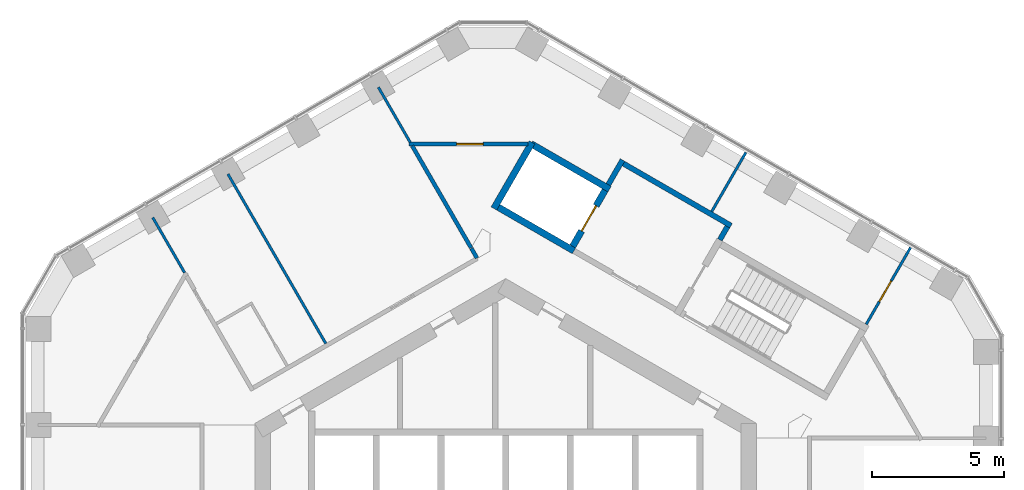
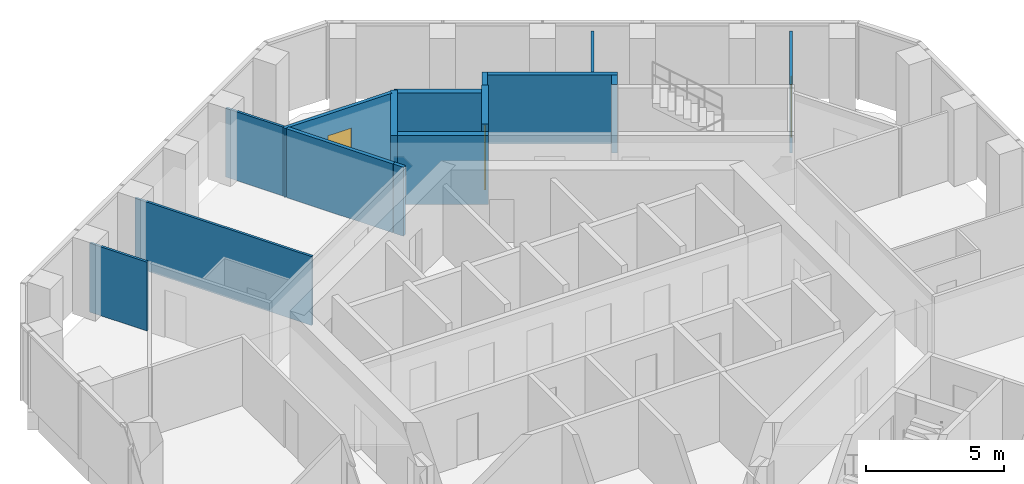
# One storey, part 16 of 18: 15 walls, 3 doors, 3 openings.
"""IFC4 building model written with IfcOpenShell, lengths in metres."""

from ifc_helpers import new_model, si_unit, direction, frame, frame_2d, origin, place, context, subcontext, project, spatial, rectangle, extrude, material, layer, layer_set, type_object, element, fill, save


model = new_model("IFC4")

# Units and contexts
model_context = context("Model", 3, precision=1e-05, world=origin(), true_north=direction((0.0, 1.0)))
body_context = subcontext(model_context, "Body", "Model", "MODEL_VIEW")
ifc_project = project(units=[si_unit("LENGTHUNIT", "METRE"), si_unit("AREAUNIT", "SQUARE_METRE"), si_unit("VOLUMEUNIT", "CUBIC_METRE"), si_unit("PLANEANGLEUNIT", "RADIAN"), si_unit("MASSUNIT", "GRAM", prefix="KILO")], contexts=[model_context])

# Site, building, storey
site_placement = place(None, origin())
site = spatial("IfcSite", under=ifc_project, at=site_placement, CompositionType="ELEMENT")
building_placement = place(site_placement, origin())
building = spatial("IfcBuilding", under=site, at=building_placement, Name="Ayvan Gate Tower", CompositionType="ELEMENT")
storey_placement = place(building_placement, frame((0.0, 0.0, 179.89990234375)))
storey = spatial("IfcBuildingStorey", under=building, at=storey_placement, Name="L48", CompositionType="ELEMENT", Elevation=179.89990234375)

# Wall, opening, door
ifc_material_1 = material(Name="Plasterboard on steel stud", Category="steel")
ifc_layer_1 = layer(ifc_material_1, 0.14990234375)
ifc_layer_set_1 = layer_set([ifc_layer_1], Name="Plasterboard on steel stud")
wall_type_1 = type_object("IfcWallType", Name="WT-CORR-150", PredefinedType="PARTITIONING", material=ifc_layer_set_1)
wall_1_placement = place(storey_placement, frame((-3.653564453125, 16.061767578125, 0.0), z_axis=(0.0, 0.0, 1.0), x_axis=(1.0, 0.0, 0.0)))
wall_1 = element("IfcWall", 1, at=wall_1_placement, inside=storey, type_object=wall_type_1, Name="IW-L48-040", PredefinedType="PARTITIONING", context=body_context, shape_type="SweptSolid", body=[
    extrude(rectangle(XDim=4.488037109375, YDim=0.14990234375, at=frame_2d((2.244140625, 0.0))), origin(), (0.0, 0.0, 1.0), 3.050048828125),
])
opening_1_placement = place(wall_1_placement, frame((1.798828125, 0.0, 0.0)))
opening_1 = element("IfcOpeningElement", 2, at=opening_1_placement, cuts=wall_1, Name="Opening L48-D27", PredefinedType="OPENING", context=body_context, shape_type="SweptSolid", body=[
    extrude(rectangle(XDim=1.0, YDim=2.10009765625, at=frame_2d((0.5, 1.050048828125))), frame((0.0, 0.0849609375, 0.0), z_axis=(0.0, -1.0, 0.0), x_axis=(1.0, 0.0, 0.0)), (0.0, 0.0, 1.0), 0.169921875),
])
ifc_material_2 = material(Name="Timber door leaf", Category="wood")
door_type_1 = type_object("IfcDoorType", Name="DT-1000", OperationType="NOTDEFINED", PredefinedType="DOOR", material=ifc_material_2)
door_1_placement = place(opening_1_placement, origin())
door_1 = element("IfcDoor", 3, at=door_1_placement, inside=storey, type_object=door_type_1, Name="ID-L48-027", OperationType="SINGLE_SWING_LEFT", OverallHeight=2.10009765625, OverallWidth=1.0, PredefinedType="DOOR", context=body_context, shape_type="SweptSolid", body=[
    extrude(rectangle(XDim=1.0, YDim=2.10009765625, at=frame_2d((0.5, 1.050048828125))), frame((0.0, 0.02490234375, 0.0), z_axis=(0.0, -1.0, 0.0), x_axis=(1.0, 0.0, 0.0)), (0.0, 0.0, 1.0), 0.050048828125),
])
fill(opening_1, door_1)

# Walls
wall_2_placement = place(storey_placement, frame((-1.3095703125, 12.1318359375, 0.0), z_axis=(0.0, 0.0, 1.0), x_axis=(-0.499998682516, 0.866026164433, 0.0)))
element("IfcWall", 4, at=wall_2_placement, inside=storey, type_object=wall_type_1, Name="IW-L48-045", PredefinedType="PARTITIONING", context=body_context, shape_type="SweptSolid", body=[
    extrude(rectangle(XDim=4.462890625, YDim=0.14990234375, at=frame_2d((2.2314453125, 0.0))), origin(), (0.0, 0.0, 1.0), 3.050048828125),
])
wall_3_placement = place(storey_placement, frame((-1.299560546875, 12.114501953125, 0.0), z_axis=(0.0, 0.0, 1.0), x_axis=(0.500190688257, -0.865915281873, 0.0)))
element("IfcWall", 5, at=wall_3_placement, inside=storey, type_object=wall_type_1, Name="IW-L48-047", PredefinedType="PARTITIONING", context=body_context, shape_type="SweptSolid", body=[
    extrude(rectangle(XDim=0.421142578125, YDim=0.14990234375, at=frame_2d((0.21044921875, 0.0))), origin(), (0.0, 0.0, 1.0), 3.050048828125),
])
ifc_layer_2 = layer(ifc_material_1, 0.10009765625)
ifc_layer_set_2 = layer_set([ifc_layer_2], Name="Plasterboard on steel stud")
wall_type_2 = type_object("IfcWallType", Name="WT-PART-100", PredefinedType="PARTITIONING", material=ifc_layer_set_2)
wall_4_placement = place(storey_placement, frame((-13.364501953125, 13.2841796875, 0.0), z_axis=(0.0, 0.0, 1.0), x_axis=(0.500002762329, -0.866023808947, 0.0)))
element("IfcWall", 6, at=wall_4_placement, inside=storey, type_object=wall_type_2, Name="IW-L48-008", PredefinedType="PARTITIONING", context=body_context, shape_type="SweptSolid", body=[
    extrude(rectangle(XDim=2.41259765625, YDim=0.10009765625, at=frame_2d((1.206298828125, 0.0))), origin(), (0.0, 0.0, 1.0), 3.050048828125),
])
wall_5_placement = place(storey_placement, frame((-6.811279296875, 8.509521484375, 0.0), z_axis=(0.0, 0.0, 1.0), x_axis=(-0.500011399757, 0.866018822032, 0.0)))
element("IfcWall", 7, at=wall_5_placement, inside=storey, type_object=wall_type_2, Name="IW-L48-029", PredefinedType="PARTITIONING", context=body_context, shape_type="SweptSolid", body=[
    extrude(rectangle(XDim=7.411376953125, YDim=0.10009765625, at=frame_2d((3.70556640625, 0.0))), origin(), (0.0, 0.0, 1.0), 3.050048828125),
])
wall_6_placement = place(storey_placement, frame((-3.615966796875, 16.126708984375, 0.0), z_axis=(0.0, 0.0, 1.0), x_axis=(-0.500046584259, 0.865998506679, 0.0)))
element("IfcWall", 8, at=wall_6_placement, inside=storey, type_object=wall_type_2, Name="IW-L48-039", PredefinedType="PARTITIONING", context=body_context, shape_type="SweptSolid", body=[
    extrude(rectangle(XDim=2.412353515625, YDim=0.10009765625, at=frame_2d((1.2060546875, 0.0))), origin(), (0.0, 0.0, 1.0), 3.050048828125),
])
wall_7_placement = place(storey_placement, frame((7.800048828125, 13.510009765625, 0.0), z_axis=(0.0, 0.0, 1.0), x_axis=(0.499992497538, 0.86602973529, 0.0)))
element("IfcWall", 9, at=wall_7_placement, inside=storey, type_object=wall_type_2, Name="IW-L48-081", PredefinedType="PARTITIONING", context=body_context, shape_type="SweptSolid", body=[
    extrude(rectangle(XDim=2.58251953125, YDim=0.10009765625, at=frame_2d((1.291259765625, 0.0))), origin(), (0.0, 0.0, 1.0), 3.050048828125),
])

# Wall, opening, door
wall_8_placement = place(storey_placement, frame((13.647705078125, 9.23876953125, 0.0), z_axis=(0.0, 0.0, 1.0), x_axis=(0.500064393924, 0.865988222743, 0.0)))
wall_8 = element("IfcWall", 10, at=wall_8_placement, inside=storey, type_object=wall_type_2, Name="IW-L48-096", PredefinedType="PARTITIONING", context=body_context, shape_type="SweptSolid", body=[
    extrude(rectangle(XDim=3.35791015625, YDim=0.10009765625, at=frame_2d((1.678955078125, 0.0))), origin(), (0.0, 0.0, 1.0), 3.050048828125),
])
opening_2_placement = place(wall_8_placement, frame((0.993408203125, 0.0, 0.0)))
opening_2 = element("IfcOpeningElement", 11, at=opening_2_placement, cuts=wall_8, Name="Opening L48-D26", PredefinedType="OPENING", context=body_context, shape_type="SweptSolid", body=[
    extrude(rectangle(XDim=0.89990234375, YDim=2.10009765625, at=frame_2d((0.449951171875, 1.050048828125))), frame((0.0, 0.06005859375, 0.0), z_axis=(0.0, -1.0, 0.0), x_axis=(1.0, 0.0, 0.0)), (0.0, 0.0, 1.0), 0.1201171875),
])
door_type_2 = type_object("IfcDoorType", Name="DT-900", OperationType="NOTDEFINED", PredefinedType="DOOR", material=ifc_material_2)
door_2_placement = place(opening_2_placement, origin())
door_2 = element("IfcDoor", 12, at=door_2_placement, inside=storey, type_object=door_type_2, Name="ID-L48-026", OperationType="SINGLE_SWING_RIGHT", OverallHeight=2.10009765625, OverallWidth=0.89990234375, PredefinedType="DOOR", context=body_context, shape_type="SweptSolid", body=[
    extrude(rectangle(XDim=0.89990234375, YDim=2.10009765625, at=frame_2d((0.449951171875, 1.050048828125))), frame((0.0, 0.02490234375, 0.0), z_axis=(0.0, -1.0, 0.0), x_axis=(1.0, 0.0, 0.0)), (0.0, 0.0, 1.0), 0.050048828125),
])
fill(opening_2, door_2)

# Walls
ifc_layer_3 = layer(ifc_material_1, 0.199951171875)
ifc_layer_set_3 = layer_set([ifc_layer_3], Name="Plasterboard on steel stud")
wall_type_3 = type_object("IfcWallType", Name="WT-RATED-200", PredefinedType="PARTITIONING", material=ifc_layer_set_3)
wall_9_placement = place(storey_placement, frame((3.885009765625, 14.52880859375, 0.0), z_axis=(0.0, 0.0, 1.0), x_axis=(0.499997628298, 0.866026773083, 0.0)))
element("IfcWall", 13, at=wall_9_placement, inside=storey, type_object=wall_type_3, Name="IW-L48-066", PredefinedType="PARTITIONING", context=body_context, shape_type="SweptSolid", body=[
    extrude(rectangle(XDim=1.0751953125, YDim=0.199951171875, at=frame_2d((0.53759765625, 0.0))), origin(), (0.0, 0.0, 1.0), 3.050048828125),
])
wall_10_placement = place(storey_placement, frame((4.458984375, 15.323486328125, 0.0), z_axis=(0.0, 0.0, 1.0), x_axis=(0.866016039709, -0.500016218704, 0.0)))
element("IfcWall", 14, at=wall_10_placement, inside=storey, type_object=wall_type_3, Name="IW-L48-067", PredefinedType="PARTITIONING", context=body_context, shape_type="SweptSolid", body=[
    extrude(rectangle(XDim=4.699951171875, YDim=0.199951171875, at=frame_2d((2.35009765625, 0.0))), origin(), (0.0, 0.0, 1.0), 3.050048828125),
])
wall_11_placement = place(storey_placement, frame((8.392822265625, 12.936767578125, 0.0), z_axis=(0.0, 0.0, 1.0), x_axis=(-0.500065409566, -0.86598763626, 0.0)))
element("IfcWall", 15, at=wall_11_placement, inside=storey, type_object=wall_type_3, Name="IW-L48-083", PredefinedType="PARTITIONING", context=body_context, shape_type="SweptSolid", body=[
    extrude(rectangle(XDim=0.5751953125, YDim=0.199951171875, at=frame_2d((0.28759765625, 0.0))), origin(), (0.0, 0.0, 1.0), 3.050048828125),
])
ifc_material_3 = material(Name="Concrete C50/60", Category="concrete")
ifc_layer_4 = layer(ifc_material_3, 0.25)
ifc_layer_set_4 = layer_set([ifc_layer_4], Name="Concrete C50/60")
wall_type_4 = type_object("IfcWallType", Name="WT-RC-250", PredefinedType="SHEAR", material=ifc_layer_set_4)
wall_12_placement = place(storey_placement, frame((-0.447998046875, 13.624267578125, 0.0), z_axis=(0.0, 0.0, 1.0), x_axis=(0.500073484721, 0.865982973204, 0.0)))
element("IfcWall", 16, at=wall_12_placement, inside=storey, type_object=wall_type_4, Name="IW-L48-052", PredefinedType="SHEAR", context=body_context, shape_type="SweptSolid", body=[
    extrude(rectangle(XDim=2.8896484375, YDim=0.25, at=frame_2d((1.44482421875, 0.0))), origin(), (0.0, 0.0, 1.0), 3.050048828125),
])
wall_13_placement = place(storey_placement, frame((0.964599609375, 16.07080078125, 0.0), z_axis=(0.0, 0.0, 1.0), x_axis=(0.866050272892, -0.499956922968, 0.0)))
element("IfcWall", 17, at=wall_13_placement, inside=storey, type_object=wall_type_4, Name="IW-L48-054", PredefinedType="SHEAR", context=body_context, shape_type="SweptSolid", body=[
    extrude(rectangle(XDim=3.425048828125, YDim=0.25, at=frame_2d((1.71240234375, 0.0))), origin(), (0.0, 0.0, 1.0), 3.050048828125),
])
wall_14_placement = place(storey_placement, frame((2.580810546875, 12.02001953125, 0.0), z_axis=(0.0, 0.0, 1.0), x_axis=(-0.866040211805, 0.499974350878, 0.0)))
element("IfcWall", 18, at=wall_14_placement, inside=storey, type_object=wall_type_4, Name="IW-L48-059", PredefinedType="SHEAR", context=body_context, shape_type="SweptSolid", body=[
    extrude(rectangle(XDim=3.300048828125, YDim=0.25, at=frame_2d((1.64990234375, 0.0))), origin(), (0.0, 0.0, 1.0), 3.050048828125),
])

# Wall, opening, door
wall_15_placement = place(storey_placement, frame((2.534912109375, 12.19091796875, 0.0), z_axis=(0.0, 0.0, 1.0), x_axis=(0.500061746146, 0.865989751695, 0.0)))
wall_15 = element("IfcWall", 19, at=wall_15_placement, inside=storey, type_object=wall_type_4, Name="IW-L48-060", PredefinedType="SHEAR", context=body_context, shape_type="SweptSolid", body=[
    extrude(rectangle(XDim=2.449951171875, YDim=0.25, at=frame_2d((1.22509765625, 0.0))), origin(), (0.0, 0.0, 1.0), 3.400146484375),
])
opening_3_placement = place(wall_15_placement, frame((0.675048828125, 0.0, 0.0)))
opening_3 = element("IfcOpeningElement", 20, at=opening_3_placement, cuts=wall_15, Name="Opening L48-LD-FF1", PredefinedType="OPENING", context=body_context, shape_type="SweptSolid", body=[
    extrude(rectangle(XDim=1.10009765625, YDim=2.10009765625, at=frame_2d((0.550048828125, 1.050048828125))), frame((0.0, 0.135009765625, 0.0), z_axis=(0.0, -1.0, 0.0), x_axis=(1.0, 0.0, 0.0)), (0.0, 0.0, 1.0), 0.27001953125),
])
ifc_material_4 = material(Name="Stainless steel landing door", Category="steel")
door_type_3 = type_object("IfcDoorType", Name="DT-LANDING-1100", OperationType="SLIDING_TO_LEFT", PredefinedType="DOOR", material=ifc_material_4)
door_3_placement = place(opening_3_placement, origin())
door_3 = element("IfcDoor", 21, at=door_3_placement, inside=storey, type_object=door_type_3, Name="ID-L48-014", OperationType="SLIDING_TO_LEFT", OverallHeight=2.10009765625, OverallWidth=1.10009765625, PredefinedType="DOOR", context=body_context, shape_type="SweptSolid", body=[
    extrude(rectangle(XDim=1.10009765625, YDim=2.10009765625, at=frame_2d((0.550048828125, 1.050048828125))), frame((0.0, 0.02490234375, 0.0), z_axis=(0.0, -1.0, 0.0), x_axis=(1.0, 0.0, 0.0)), (0.0, 0.0, 1.0), 0.050048828125),
])
fill(opening_3, door_3)

save(model, "model.ifc")
